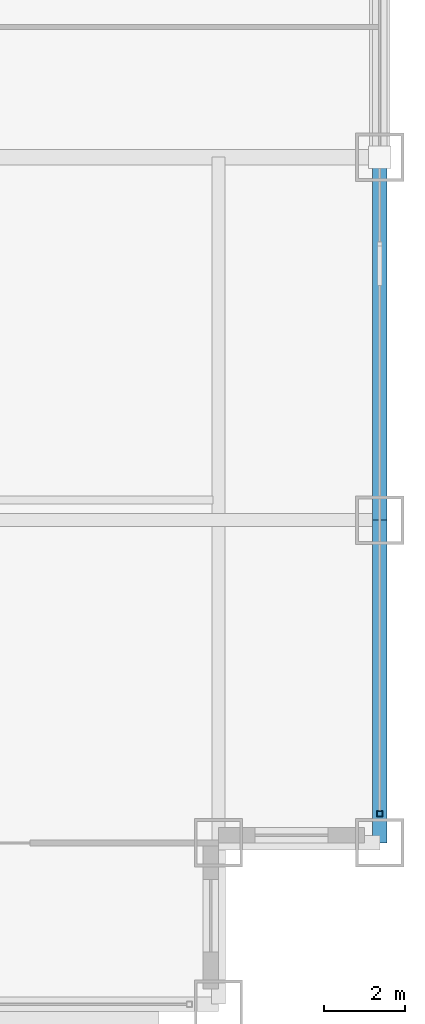
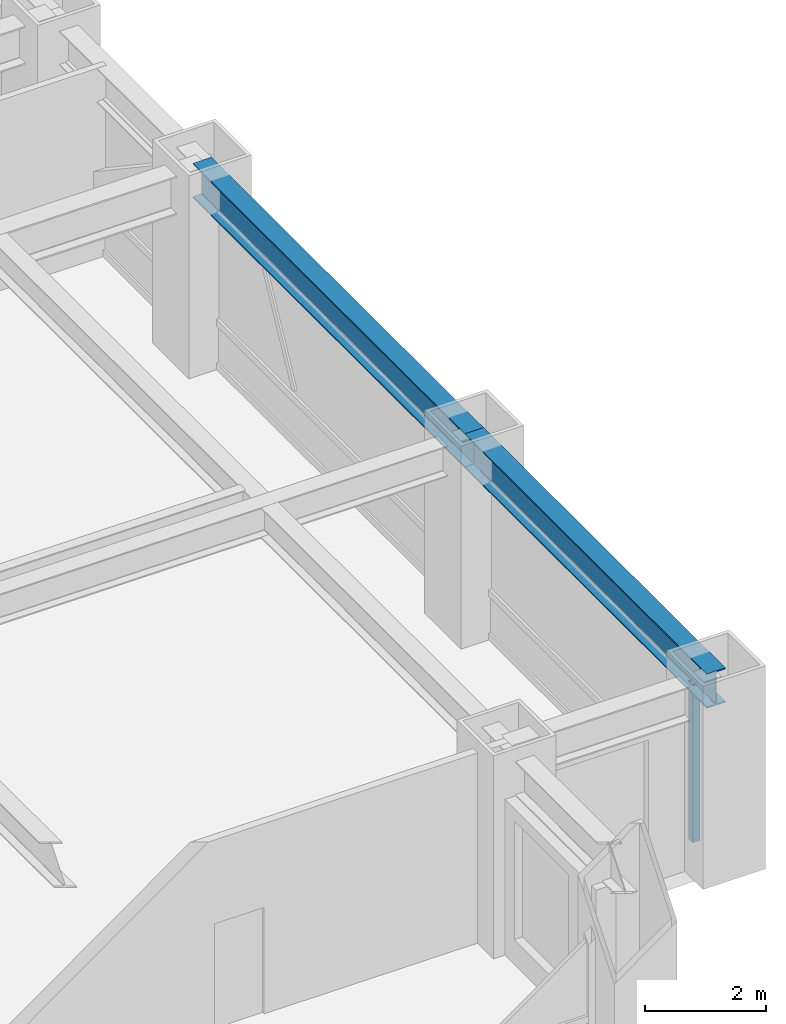
# One storey, part 12 of 32: 2 beams, 1 member, 1 element without a shape of its own.
"""IFC4 building model written with IfcOpenShell, lengths in metres."""

from ifc_helpers import new_model, si_unit, direction, frame, origin, origin_2d, place, context, subcontext, project, spatial, hollow_rectangle, i_section, extrude, source, transform, mapped, material, material_profile, profile_set, type_object, element, aggregate, save


model = new_model("IFC4")

# Units and contexts
model_context = context("Model", 3, precision=1e-05, world=origin(), true_north=direction((0.0, 1.0)))
body_context = subcontext(model_context, "Body", "Model", "MODEL_VIEW")
ifc_project = project(units=[si_unit("LENGTHUNIT", "METRE"), si_unit("AREAUNIT", "SQUARE_METRE"), si_unit("VOLUMEUNIT", "CUBIC_METRE"), si_unit("PLANEANGLEUNIT", "RADIAN"), si_unit("MASSUNIT", "GRAM", prefix="KILO")], contexts=[model_context])

# Site, building, storey
site_placement = place(None, origin())
site = spatial("IfcSite", under=ifc_project, at=site_placement, CompositionType="ELEMENT")
building_placement = place(site_placement, origin())
building = spatial("IfcBuilding", under=site, at=building_placement, Name="Khorayat Bourse Tower", CompositionType="ELEMENT")
storey_placement = place(building_placement, frame((0.0, 0.0, 95.5)))
storey = spatial("IfcBuildingStorey", under=building, at=storey_placement, Name="L21", CompositionType="ELEMENT", Elevation=95.5)

# Beams
ifc_material_1 = material(Name="Steel ASTM A992 Grade 50", Category="steel")
ifc_material_profile_1 = material_profile(ifc_material_1, i_section(OverallWidth=0.35498046875, OverallDepth=0.695068359375, WebThickness=0.015380859375, FlangeThickness=0.02490234375, FilletRadius=0.01806640625, at=origin_2d()), Name="W690X217")
ifc_profile_set_1 = profile_set([ifc_material_profile_1], Name="Steel ASTM A992 Grade 50")
beam_type = type_object("IfcBeamType", Name="BM-SPAN-690", PredefinedType="SPANDREL", material=ifc_profile_set_1)
shared_shape_1 = source(origin(), body_context, "Body", "SweptSolid", [
    extrude(i_section(OverallWidth=0.35498046875, OverallDepth=0.695068359375, WebThickness=0.015380859375, FlangeThickness=0.02490234375, FilletRadius=0.01806640625, at=origin_2d()), origin(), (0.0, 0.0, 1.0), 9.0),
])
beam_1_placement = place(storey_placement, frame((32.0, -20.0, 3.492431640625), z_axis=(0.0, 1.0, 0.0), x_axis=(-1.0, 0.0, 0.0)))
element("IfcBeam", 1, at=beam_1_placement, inside=storey, type_object=beam_type, Name="L21 BM-SPAN-690 BM-L21-SPN-035", PredefinedType="SPANDREL", context=body_context, shape_type="MappedRepresentation", body=[
    mapped(shared_shape_1, transform((0.0, 0.0, 0.0), scale=1.0)),
])
shared_shape_2 = source(origin(), body_context, "Body", "SweptSolid", [
    extrude(i_section(OverallWidth=0.35498046875, OverallDepth=0.695068359375, WebThickness=0.015380859375, FlangeThickness=0.02490234375, FilletRadius=0.01806640625, at=origin_2d()), origin(), (0.0, 0.0, 1.0), 8.0),
])
beam_2_placement = place(storey_placement, frame((32.0, -28.0, 3.492431640625), z_axis=(0.0, 1.0, 0.0), x_axis=(-1.0, 0.0, 0.0)))
element("IfcBeam", 2, at=beam_2_placement, inside=storey, type_object=beam_type, Name="L21 BM-SPAN-690 BM-L21-SPN-034", PredefinedType="SPANDREL", context=body_context, shape_type="MappedRepresentation", body=[
    mapped(shared_shape_2, transform((0.0, 0.0, 0.0), scale=1.0)),
])

# Curtain wall, member
ifc_material_2 = material(Name="Aluminium EN AW-6063 T6", Category="aluminium")
curtain_wall_type = type_object("IfcCurtainWallType", Name="CW-SYS-02", PredefinedType="NOTDEFINED", material=ifc_material_2)
curtain_wall_placement = place(storey_placement, origin())
curtain_wall = element("IfcCurtainWall", 3, at=curtain_wall_placement, inside=storey, type_object=curtain_wall_type, Name="L21 Curtain Wall CW-L21-E1", PredefinedType="NOTDEFINED")
ifc_material_profile_2 = material_profile(ifc_material_2, hollow_rectangle(XDim=0.139892578125, YDim=0.139892578125, WallThickness=0.006103515625, at=origin_2d()), Name="ALU 140x140x6")
ifc_profile_set_2 = profile_set([ifc_material_profile_2], Name="Aluminium EN AW-6063 T6")
member_type = type_object("IfcMemberType", Name="CWM-VERT-140", PredefinedType="MULLION", material=ifc_profile_set_2)
shared_shape_3 = source(origin(), body_context, "Body", "SweptSolid", [
    extrude(hollow_rectangle(XDim=0.139892578125, YDim=0.139892578125, WallThickness=0.006103515625, at=origin_2d()), origin(), (0.0, 0.0, 1.0), 3.18994140625),
])
member_placement = place(storey_placement, frame((32.0, -27.280029296875, 0.0), z_axis=(0.0, 0.0, 1.0), x_axis=(-1.0, 0.0, 0.0)))
member = element("IfcMember", 4, at=member_placement, type_object=member_type, Name="CW-L21-E1 Vertical Mullion 1", PredefinedType="MULLION", context=body_context, shape_type="MappedRepresentation", body=[
    mapped(shared_shape_3, transform((0.0, 0.0, 0.0), scale=1.0)),
])
aggregate(curtain_wall, [member])

save(model, "model.ifc")
